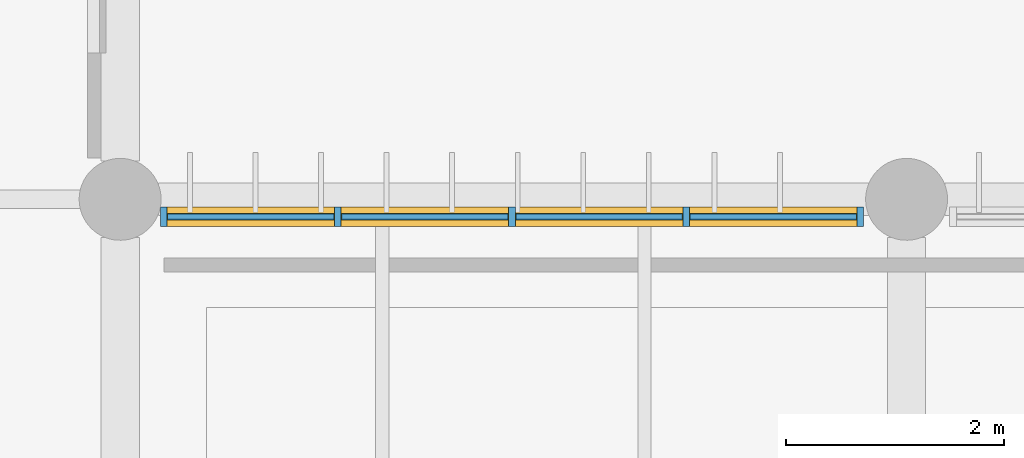
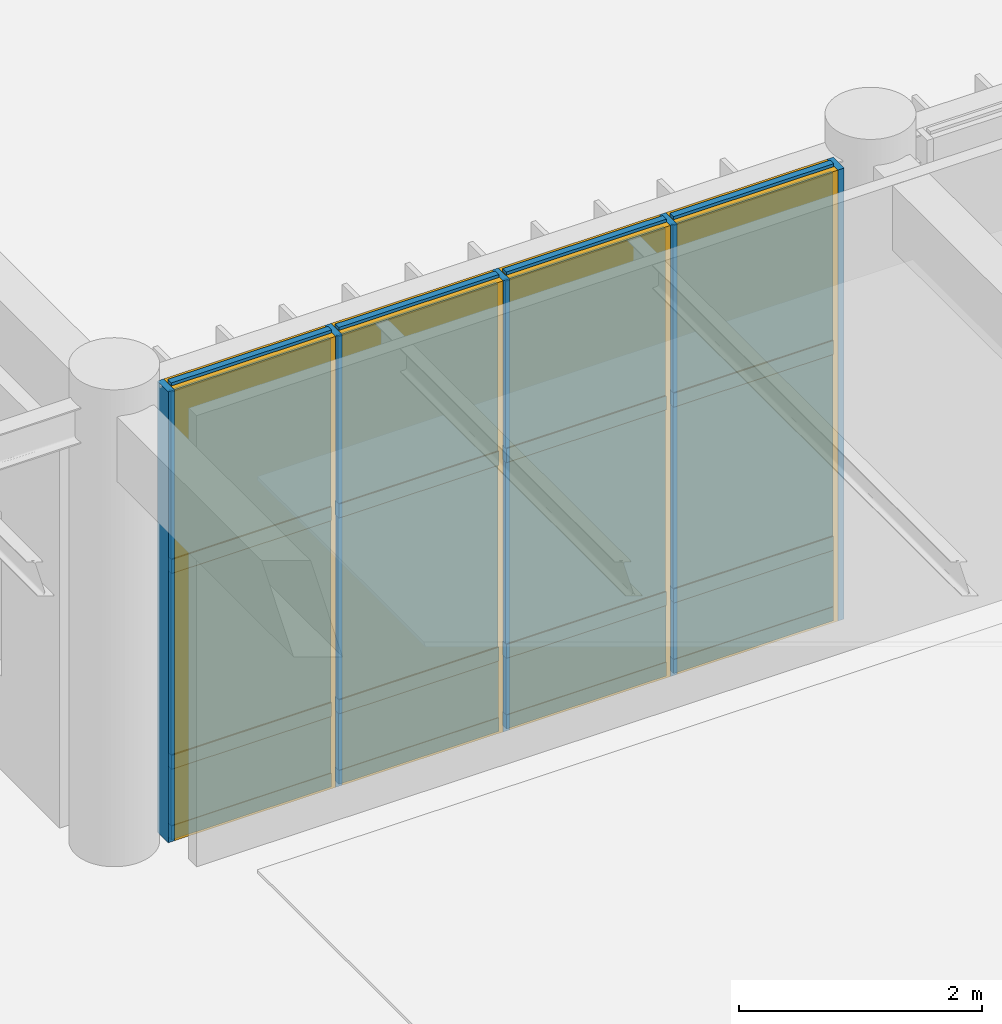
# One storey, part 83 of 122: 21 members, 12 plates, 1 curtain wall.
"""IFC4 building model written with IfcOpenShell, lengths in metres."""

from ifc_helpers import new_model, si_unit, direction, frame, frame_2d, origin, origin_2d, place, context, subcontext, project, spatial, rectangle, extrude, material, layer, layer_set, material_profile, profile_set, type_object, element, aggregate, save


model = new_model("IFC4")

# Units and contexts
model_context = context("Model", 3, precision=1e-05, world=origin(), true_north=direction((0.0, 1.0)))
body_context = subcontext(model_context, "Body", "Model", "MODEL_VIEW")
ifc_project = project(units=[si_unit("LENGTHUNIT", "METRE"), si_unit("AREAUNIT", "SQUARE_METRE"), si_unit("VOLUMEUNIT", "CUBIC_METRE"), si_unit("PLANEANGLEUNIT", "RADIAN"), si_unit("MASSUNIT", "GRAM", prefix="KILO")], contexts=[model_context])

# Member
ifc_material_1 = material(Name="Anodised Bronze Aluminium 6063-T6", Category="aluminium")
ifc_material_profile_1 = material_profile(ifc_material_1, rectangle(XDim=0.06005859375, YDim=0.179931640625, at=origin_2d()), Name="ALU MULLION 60x180")
ifc_profile_set_1 = profile_set([ifc_material_profile_1], Name="Anodised Bronze Aluminium 6063-T6")
member_type_1 = type_object("IfcMemberType", Name="Curtain-Wall Primary Mullion 60x180", PredefinedType="MULLION", material=ifc_profile_set_1)
site_placement = place(None, origin())
building_placement = place(site_placement, origin())
storey_placement = place(building_placement, origin())
member_1_placement = place(storey_placement, frame((95.800048828125, 30.0400390625, 0.0), z_axis=(0.0, 0.0, 1.0), x_axis=(1.0, 0.0, 0.0)))
member_1 = element("IfcMember", 1, at=member_1_placement, type_object=member_type_1, Name="Mullion CWM-01 CW-V5-NRET-E-L00-B1-M01", PredefinedType="MULLION", context=body_context, shape_type="SweptSolid", body=[
    extrude(rectangle(XDim=0.06005859375, YDim=0.179931640625, at=origin_2d()), origin(), (0.0, 0.0, 1.0), 4.5400390625),
])

member_2_placement = place(storey_placement, frame((97.393798828125, 30.0400390625, 0.0), z_axis=(0.0, 0.0, 1.0), x_axis=(1.0, 0.0, 0.0)))
member_2 = element("IfcMember", 2, at=member_2_placement, type_object=member_type_1, Name="Mullion CWM-01 CW-V5-NRET-E-L00-B1-M02", PredefinedType="MULLION", context=body_context, shape_type="SweptSolid", body=[
    extrude(rectangle(XDim=0.06005859375, YDim=0.179931640625, at=origin_2d()), origin(), (0.0, 0.0, 1.0), 4.5400390625),
])

member_3_placement = place(storey_placement, frame((98.987548828125, 30.0400390625, 0.0), z_axis=(0.0, 0.0, 1.0), x_axis=(1.0, 0.0, 0.0)))
member_3 = element("IfcMember", 3, at=member_3_placement, type_object=member_type_1, Name="Mullion CWM-01 CW-V5-NRET-E-L00-B1-M03", PredefinedType="MULLION", context=body_context, shape_type="SweptSolid", body=[
    extrude(rectangle(XDim=0.06005859375, YDim=0.179931640625, at=origin_2d()), origin(), (0.0, 0.0, 1.0), 4.5400390625),
])

member_4_placement = place(storey_placement, frame((100.581298828125, 30.0400390625, 0.0), z_axis=(0.0, 0.0, 1.0), x_axis=(1.0, 0.0, 0.0)))
member_4 = element("IfcMember", 4, at=member_4_placement, type_object=member_type_1, Name="Mullion CWM-01 CW-V5-NRET-E-L00-B1-M04", PredefinedType="MULLION", context=body_context, shape_type="SweptSolid", body=[
    extrude(rectangle(XDim=0.06005859375, YDim=0.179931640625, at=origin_2d()), origin(), (0.0, 0.0, 1.0), 4.5400390625),
])

member_5_placement = place(storey_placement, frame((102.175048828125, 30.0400390625, 0.0), z_axis=(0.0, 0.0, 1.0), x_axis=(1.0, 0.0, 0.0)))
member_5 = element("IfcMember", 5, at=member_5_placement, type_object=member_type_1, Name="Mullion CWM-01 CW-V5-NRET-E-L00-B1-M05", PredefinedType="MULLION", context=body_context, shape_type="SweptSolid", body=[
    extrude(rectangle(XDim=0.06005859375, YDim=0.179931640625, at=origin_2d()), origin(), (0.0, 0.0, 1.0), 4.5400390625),
])

ifc_material_profile_2 = material_profile(ifc_material_1, rectangle(XDim=0.06005859375, YDim=0.139892578125, at=origin_2d()), Name="ALU TRANSOM 60x140")
ifc_profile_set_2 = profile_set([ifc_material_profile_2], Name="Anodised Bronze Aluminium 6063-T6")
member_type_2 = type_object("IfcMemberType", Name="Curtain-Wall Transom 60x140", PredefinedType="USERDEFINED", material=ifc_profile_set_2)
member_6_placement = place(storey_placement, frame((95.8349609375, 30.0400390625, 0.0400390625), z_axis=(1.0, 0.0, 0.0), x_axis=(0.0, 1.0, 0.0)))
member_6 = element("IfcMember", 6, at=member_6_placement, type_object=member_type_2, Name="Transom CWT-01 CW-V5-NRET-E-L00-B1-T01.1", ObjectType="TRANSOM", PredefinedType="USERDEFINED", context=body_context, shape_type="SweptSolid", body=[
    extrude(rectangle(XDim=0.06005859375, YDim=0.139892578125, at=origin_2d()), origin(), (0.0, 0.0, 1.0), 1.52392578125),
])

member_7_placement = place(storey_placement, frame((95.8349609375, 30.0400390625, 0.75), z_axis=(1.0, 0.0, 0.0), x_axis=(0.0, 1.0, 0.0)))
member_7 = element("IfcMember", 7, at=member_7_placement, type_object=member_type_2, Name="Transom CWT-01 CW-V5-NRET-E-L00-B1-T01.2", ObjectType="TRANSOM", PredefinedType="USERDEFINED", context=body_context, shape_type="SweptSolid", body=[
    extrude(rectangle(XDim=0.06005859375, YDim=0.139892578125, at=origin_2d()), origin(), (0.0, 0.0, 1.0), 1.52392578125),
])

member_8_placement = place(storey_placement, frame((95.8349609375, 30.0400390625, 2.720703125), z_axis=(1.0, 0.0, 0.0), x_axis=(0.0, 1.0, 0.0)))
member_8 = element("IfcMember", 8, at=member_8_placement, type_object=member_type_2, Name="Transom CWT-01 CW-V5-NRET-E-L00-B1-T01.3", ObjectType="TRANSOM", PredefinedType="USERDEFINED", context=body_context, shape_type="SweptSolid", body=[
    extrude(rectangle(XDim=0.06005859375, YDim=0.139892578125, at=origin_2d()), origin(), (0.0, 0.0, 1.0), 1.52392578125),
])

member_9_placement = place(storey_placement, frame((95.8349609375, 30.0400390625, 4.5), z_axis=(1.0, 0.0, 0.0), x_axis=(0.0, 1.0, 0.0)))
member_9 = element("IfcMember", 9, at=member_9_placement, type_object=member_type_2, Name="Transom CWT-01 CW-V5-NRET-E-L00-B1-T01.4", ObjectType="TRANSOM", PredefinedType="USERDEFINED", context=body_context, shape_type="SweptSolid", body=[
    extrude(rectangle(XDim=0.06005859375, YDim=0.139892578125, at=origin_2d()), origin(), (0.0, 0.0, 1.0), 1.52392578125),
])

member_10_placement = place(storey_placement, frame((97.4287109375, 30.0400390625, 0.0400390625), z_axis=(1.0, 0.0, 0.0), x_axis=(0.0, 1.0, 0.0)))
member_10 = element("IfcMember", 10, at=member_10_placement, type_object=member_type_2, Name="Transom CWT-01 CW-V5-NRET-E-L00-B1-T02.1", ObjectType="TRANSOM", PredefinedType="USERDEFINED", context=body_context, shape_type="SweptSolid", body=[
    extrude(rectangle(XDim=0.06005859375, YDim=0.139892578125, at=origin_2d()), origin(), (0.0, 0.0, 1.0), 1.523681640625),
])

member_11_placement = place(storey_placement, frame((97.4287109375, 30.0400390625, 0.75), z_axis=(1.0, 0.0, 0.0), x_axis=(0.0, 1.0, 0.0)))
member_11 = element("IfcMember", 11, at=member_11_placement, type_object=member_type_2, Name="Transom CWT-01 CW-V5-NRET-E-L00-B1-T02.2", ObjectType="TRANSOM", PredefinedType="USERDEFINED", context=body_context, shape_type="SweptSolid", body=[
    extrude(rectangle(XDim=0.06005859375, YDim=0.139892578125, at=origin_2d()), origin(), (0.0, 0.0, 1.0), 1.523681640625),
])

member_12_placement = place(storey_placement, frame((97.4287109375, 30.0400390625, 2.720703125), z_axis=(1.0, 0.0, 0.0), x_axis=(0.0, 1.0, 0.0)))
member_12 = element("IfcMember", 12, at=member_12_placement, type_object=member_type_2, Name="Transom CWT-01 CW-V5-NRET-E-L00-B1-T02.3", ObjectType="TRANSOM", PredefinedType="USERDEFINED", context=body_context, shape_type="SweptSolid", body=[
    extrude(rectangle(XDim=0.06005859375, YDim=0.139892578125, at=origin_2d()), origin(), (0.0, 0.0, 1.0), 1.523681640625),
])

member_13_placement = place(storey_placement, frame((97.4287109375, 30.0400390625, 4.5), z_axis=(1.0, 0.0, 0.0), x_axis=(0.0, 1.0, 0.0)))
member_13 = element("IfcMember", 13, at=member_13_placement, type_object=member_type_2, Name="Transom CWT-01 CW-V5-NRET-E-L00-B1-T02.4", ObjectType="TRANSOM", PredefinedType="USERDEFINED", context=body_context, shape_type="SweptSolid", body=[
    extrude(rectangle(XDim=0.06005859375, YDim=0.139892578125, at=origin_2d()), origin(), (0.0, 0.0, 1.0), 1.523681640625),
])

member_14_placement = place(storey_placement, frame((99.0224609375, 30.0400390625, 0.0400390625), z_axis=(1.0, 0.0, 0.0), x_axis=(0.0, 1.0, 0.0)))
member_14 = element("IfcMember", 14, at=member_14_placement, type_object=member_type_2, Name="Transom CWT-01 CW-V5-NRET-E-L00-B1-T03.1", ObjectType="TRANSOM", PredefinedType="USERDEFINED", context=body_context, shape_type="SweptSolid", body=[
    extrude(rectangle(XDim=0.06005859375, YDim=0.139892578125, at=origin_2d()), origin(), (0.0, 0.0, 1.0), 1.52392578125),
])

member_15_placement = place(storey_placement, frame((99.0224609375, 30.0400390625, 0.75), z_axis=(1.0, 0.0, 0.0), x_axis=(0.0, 1.0, 0.0)))
member_15 = element("IfcMember", 15, at=member_15_placement, type_object=member_type_2, Name="Transom CWT-01 CW-V5-NRET-E-L00-B1-T03.2", ObjectType="TRANSOM", PredefinedType="USERDEFINED", context=body_context, shape_type="SweptSolid", body=[
    extrude(rectangle(XDim=0.06005859375, YDim=0.139892578125, at=origin_2d()), origin(), (0.0, 0.0, 1.0), 1.52392578125),
])

member_16_placement = place(storey_placement, frame((99.0224609375, 30.0400390625, 2.720703125), z_axis=(1.0, 0.0, 0.0), x_axis=(0.0, 1.0, 0.0)))
member_16 = element("IfcMember", 16, at=member_16_placement, type_object=member_type_2, Name="Transom CWT-01 CW-V5-NRET-E-L00-B1-T03.3", ObjectType="TRANSOM", PredefinedType="USERDEFINED", context=body_context, shape_type="SweptSolid", body=[
    extrude(rectangle(XDim=0.06005859375, YDim=0.139892578125, at=origin_2d()), origin(), (0.0, 0.0, 1.0), 1.52392578125),
])

member_17_placement = place(storey_placement, frame((99.0224609375, 30.0400390625, 4.5), z_axis=(1.0, 0.0, 0.0), x_axis=(0.0, 1.0, 0.0)))
member_17 = element("IfcMember", 17, at=member_17_placement, type_object=member_type_2, Name="Transom CWT-01 CW-V5-NRET-E-L00-B1-T03.4", ObjectType="TRANSOM", PredefinedType="USERDEFINED", context=body_context, shape_type="SweptSolid", body=[
    extrude(rectangle(XDim=0.06005859375, YDim=0.139892578125, at=origin_2d()), origin(), (0.0, 0.0, 1.0), 1.52392578125),
])

member_18_placement = place(storey_placement, frame((100.6162109375, 30.0400390625, 0.0400390625), z_axis=(1.0, 0.0, 0.0), x_axis=(0.0, 1.0, 0.0)))
member_18 = element("IfcMember", 18, at=member_18_placement, type_object=member_type_2, Name="Transom CWT-01 CW-V5-NRET-E-L00-B1-T04.1", ObjectType="TRANSOM", PredefinedType="USERDEFINED", context=body_context, shape_type="SweptSolid", body=[
    extrude(rectangle(XDim=0.06005859375, YDim=0.139892578125, at=origin_2d()), origin(), (0.0, 0.0, 1.0), 1.523681640625),
])

member_19_placement = place(storey_placement, frame((100.6162109375, 30.0400390625, 0.75), z_axis=(1.0, 0.0, 0.0), x_axis=(0.0, 1.0, 0.0)))
member_19 = element("IfcMember", 19, at=member_19_placement, type_object=member_type_2, Name="Transom CWT-01 CW-V5-NRET-E-L00-B1-T04.2", ObjectType="TRANSOM", PredefinedType="USERDEFINED", context=body_context, shape_type="SweptSolid", body=[
    extrude(rectangle(XDim=0.06005859375, YDim=0.139892578125, at=origin_2d()), origin(), (0.0, 0.0, 1.0), 1.523681640625),
])

member_20_placement = place(storey_placement, frame((100.6162109375, 30.0400390625, 2.720703125), z_axis=(1.0, 0.0, 0.0), x_axis=(0.0, 1.0, 0.0)))
member_20 = element("IfcMember", 20, at=member_20_placement, type_object=member_type_2, Name="Transom CWT-01 CW-V5-NRET-E-L00-B1-T04.3", ObjectType="TRANSOM", PredefinedType="USERDEFINED", context=body_context, shape_type="SweptSolid", body=[
    extrude(rectangle(XDim=0.06005859375, YDim=0.139892578125, at=origin_2d()), origin(), (0.0, 0.0, 1.0), 1.523681640625),
])

member_21_placement = place(storey_placement, frame((100.6162109375, 30.0400390625, 4.5), z_axis=(1.0, 0.0, 0.0), x_axis=(0.0, 1.0, 0.0)))
member_21 = element("IfcMember", 21, at=member_21_placement, type_object=member_type_2, Name="Transom CWT-01 CW-V5-NRET-E-L00-B1-T04.4", ObjectType="TRANSOM", PredefinedType="USERDEFINED", context=body_context, shape_type="SweptSolid", body=[
    extrude(rectangle(XDim=0.06005859375, YDim=0.139892578125, at=origin_2d()), origin(), (0.0, 0.0, 1.0), 1.523681640625),
])

# Plate
ifc_material_2 = material(Name="Insulated Bronze Aluminium Spandrel Panel", Category="aluminium")
ifc_layer_1 = layer(ifc_material_2, 0.050048828125, Name="Insulated Bronze Aluminium Spandrel Panel")
ifc_layer_set_1 = layer_set([ifc_layer_1], Name="Insulated Bronze Aluminium Spandrel Panel")
plate_type_1 = type_object("IfcPlateType", Name="Insulated Anodised Aluminium Spandrel Cassette 50", PredefinedType="CURTAIN_PANEL", material=ifc_layer_set_1)
plate_1_placement = place(storey_placement, frame((96.596923828125, 30.0400390625, 0.070068359375), z_axis=(0.0, 0.0, 1.0), x_axis=(1.0, 0.0, 0.0)))
plate_1 = element("IfcPlate", 22, at=plate_1_placement, type_object=plate_type_1, Name="Curtain Panel CWP-03 CW-V5-NRET-E-L00-B1-P01.1", PredefinedType="CURTAIN_PANEL", context=body_context, shape_type="SweptSolid", body=[
    extrude(rectangle(XDim=1.523681640625, YDim=0.050048828125, at=origin_2d()), origin(), (0.0, 0.0, 1.0), 0.64990234375),
])

plate_2_placement = place(storey_placement, frame((98.190673828125, 30.0400390625, 0.070068359375), z_axis=(0.0, 0.0, 1.0), x_axis=(1.0, 0.0, 0.0)))
plate_2 = element("IfcPlate", 23, at=plate_2_placement, type_object=plate_type_1, Name="Curtain Panel CWP-03 CW-V5-NRET-E-L00-B1-P02.1", PredefinedType="CURTAIN_PANEL", context=body_context, shape_type="SweptSolid", body=[
    extrude(rectangle(XDim=1.523681640625, YDim=0.050048828125, at=origin_2d()), origin(), (0.0, 0.0, 1.0), 0.64990234375),
])

plate_3_placement = place(storey_placement, frame((99.784423828125, 30.0400390625, 0.070068359375), z_axis=(0.0, 0.0, 1.0), x_axis=(1.0, 0.0, 0.0)))
plate_3 = element("IfcPlate", 24, at=plate_3_placement, type_object=plate_type_1, Name="Curtain Panel CWP-03 CW-V5-NRET-E-L00-B1-P03.1", PredefinedType="CURTAIN_PANEL", context=body_context, shape_type="SweptSolid", body=[
    extrude(rectangle(XDim=1.523681640625, YDim=0.050048828125, at=origin_2d()), origin(), (0.0, 0.0, 1.0), 0.64990234375),
])

plate_4_placement = place(storey_placement, frame((101.378173828125, 30.0400390625, 0.070068359375), z_axis=(0.0, 0.0, 1.0), x_axis=(1.0, 0.0, 0.0)))
plate_4 = element("IfcPlate", 25, at=plate_4_placement, type_object=plate_type_1, Name="Curtain Panel CWP-03 CW-V5-NRET-E-L00-B1-P04.1", PredefinedType="CURTAIN_PANEL", context=body_context, shape_type="SweptSolid", body=[
    extrude(rectangle(XDim=1.523681640625, YDim=0.050048828125, at=origin_2d()), origin(), (0.0, 0.0, 1.0), 0.64990234375),
])

ifc_material_3 = material(Name="Solar-Control Tempered Double Glazing", Category="glass")
ifc_layer_2 = layer(ifc_material_3, 0.0380859375, Name="Solar-Control Tempered Double Glazing")
ifc_layer_set_2 = layer_set([ifc_layer_2], Name="Solar-Control Tempered Double Glazing")
plate_type_2 = type_object("IfcPlateType", Name="Solar-Control Vision Glazing Unit 38", PredefinedType="CURTAIN_PANEL", material=ifc_layer_set_2)
plate_5_placement = place(storey_placement, frame((96.596923828125, 30.0400390625, 0.77978515625), z_axis=(0.0, 0.0, 1.0), x_axis=(1.0, 0.0, 0.0)))
plate_5 = element("IfcPlate", 26, at=plate_5_placement, type_object=plate_type_2, Name="Curtain Panel CWP-02 CW-V5-NRET-E-L00-B1-P01.2", PredefinedType="CURTAIN_PANEL", context=body_context, shape_type="SweptSolid", body=[
    extrude(rectangle(XDim=1.523681640625, YDim=0.0380859375, at=origin_2d()), origin(), (0.0, 0.0, 1.0), 1.910888671875),
])

plate_6_placement = place(storey_placement, frame((96.596923828125, 30.0400390625, 2.750732421875), z_axis=(0.0, 0.0, 1.0), x_axis=(1.0, 0.0, 0.0)))
plate_6 = element("IfcPlate", 27, at=plate_6_placement, type_object=plate_type_2, Name="Curtain Panel CWP-02 CW-V5-NRET-E-L00-B1-P01.3", PredefinedType="CURTAIN_PANEL", context=body_context, shape_type="SweptSolid", body=[
    extrude(rectangle(XDim=1.523681640625, YDim=0.0380859375, at=origin_2d()), origin(), (0.0, 0.0, 1.0), 1.71923828125),
])

plate_7_placement = place(storey_placement, frame((98.190673828125, 30.0400390625, 0.77978515625), z_axis=(0.0, 0.0, 1.0), x_axis=(1.0, 0.0, 0.0)))
plate_7 = element("IfcPlate", 28, at=plate_7_placement, type_object=plate_type_2, Name="Curtain Panel CWP-02 CW-V5-NRET-E-L00-B1-P02.2", PredefinedType="CURTAIN_PANEL", context=body_context, shape_type="SweptSolid", body=[
    extrude(rectangle(XDim=1.523681640625, YDim=0.0380859375, at=origin_2d()), origin(), (0.0, 0.0, 1.0), 1.910888671875),
])

plate_8_placement = place(storey_placement, frame((98.190673828125, 30.0400390625, 2.750732421875), z_axis=(0.0, 0.0, 1.0), x_axis=(1.0, 0.0, 0.0)))
plate_8 = element("IfcPlate", 29, at=plate_8_placement, type_object=plate_type_2, Name="Curtain Panel CWP-02 CW-V5-NRET-E-L00-B1-P02.3", PredefinedType="CURTAIN_PANEL", context=body_context, shape_type="SweptSolid", body=[
    extrude(rectangle(XDim=1.523681640625, YDim=0.0380859375, at=origin_2d()), origin(), (0.0, 0.0, 1.0), 1.71923828125),
])

plate_9_placement = place(storey_placement, frame((99.784423828125, 30.0400390625, 0.77978515625), z_axis=(0.0, 0.0, 1.0), x_axis=(1.0, 0.0, 0.0)))
plate_9 = element("IfcPlate", 30, at=plate_9_placement, type_object=plate_type_2, Name="Curtain Panel CWP-02 CW-V5-NRET-E-L00-B1-P03.2", PredefinedType="CURTAIN_PANEL", context=body_context, shape_type="SweptSolid", body=[
    extrude(rectangle(XDim=1.523681640625, YDim=0.0380859375, at=origin_2d()), origin(), (0.0, 0.0, 1.0), 1.910888671875),
])

plate_10_placement = place(storey_placement, frame((99.784423828125, 30.0400390625, 2.750732421875), z_axis=(0.0, 0.0, 1.0), x_axis=(1.0, 0.0, 0.0)))
plate_10 = element("IfcPlate", 31, at=plate_10_placement, type_object=plate_type_2, Name="Curtain Panel CWP-02 CW-V5-NRET-E-L00-B1-P03.3", PredefinedType="CURTAIN_PANEL", context=body_context, shape_type="SweptSolid", body=[
    extrude(rectangle(XDim=1.523681640625, YDim=0.0380859375, at=origin_2d()), origin(), (0.0, 0.0, 1.0), 1.71923828125),
])

plate_11_placement = place(storey_placement, frame((101.378173828125, 30.0400390625, 0.77978515625), z_axis=(0.0, 0.0, 1.0), x_axis=(1.0, 0.0, 0.0)))
plate_11 = element("IfcPlate", 32, at=plate_11_placement, type_object=plate_type_2, Name="Curtain Panel CWP-02 CW-V5-NRET-E-L00-B1-P04.2", PredefinedType="CURTAIN_PANEL", context=body_context, shape_type="SweptSolid", body=[
    extrude(rectangle(XDim=1.523681640625, YDim=0.0380859375, at=origin_2d()), origin(), (0.0, 0.0, 1.0), 1.910888671875),
])

plate_12_placement = place(storey_placement, frame((101.378173828125, 30.0400390625, 2.750732421875), z_axis=(0.0, 0.0, 1.0), x_axis=(1.0, 0.0, 0.0)))
plate_12 = element("IfcPlate", 33, at=plate_12_placement, type_object=plate_type_2, Name="Curtain Panel CWP-02 CW-V5-NRET-E-L00-B1-P04.3", PredefinedType="CURTAIN_PANEL", context=body_context, shape_type="SweptSolid", body=[
    extrude(rectangle(XDim=1.523681640625, YDim=0.0380859375, at=origin_2d()), origin(), (0.0, 0.0, 1.0), 1.71923828125),
])

# Site, building, storey
site = spatial("IfcSite", under=ifc_project, at=site_placement, CompositionType="ELEMENT")
building = spatial("IfcBuilding", under=site, at=building_placement, Name="Tazoul Stagehouse", CompositionType="ELEMENT")
storey = spatial("IfcBuildingStorey", under=building, at=storey_placement, Name="L00", CompositionType="ELEMENT", Elevation=0.0)

# Curtain wall
curtain_wall_type = type_object("IfcCurtainWallType", Name="Foyer Clear Solar-Control Curtain Wall", PredefinedType="NOTDEFINED", material=ifc_material_1)
curtain_wall_placement = place(storey_placement, frame((95.800048828125, 30.0400390625, 0.0), z_axis=(0.0, 0.0, 1.0), x_axis=(1.0, 0.0, 0.0)))
curtain_wall = element("IfcCurtainWall", 34, at=curtain_wall_placement, inside=storey, type_object=curtain_wall_type, Name="L00 Curtain Wall CW-02 (CW-V5-NRET-E-L00-B1)", PredefinedType="NOTDEFINED", context=body_context, shape_type="SweptSolid", body=[
    extrude(rectangle(XDim=6.375, YDim=0.179931640625, at=frame_2d((3.1875, 0.0))), origin(), (0.0, 0.0, 1.0), 4.5400390625),
])

aggregate(curtain_wall, [member_1, member_2, member_3, member_4, member_5, member_6, member_7, member_8, member_9, plate_1, plate_5, plate_6, member_10, member_11, member_12, member_13, plate_2, plate_7, plate_8, member_14, member_15, member_16, member_17, plate_3, plate_9, plate_10, member_18, member_19, member_20, member_21, plate_4, plate_11, plate_12])

save(model, "model.ifc")
